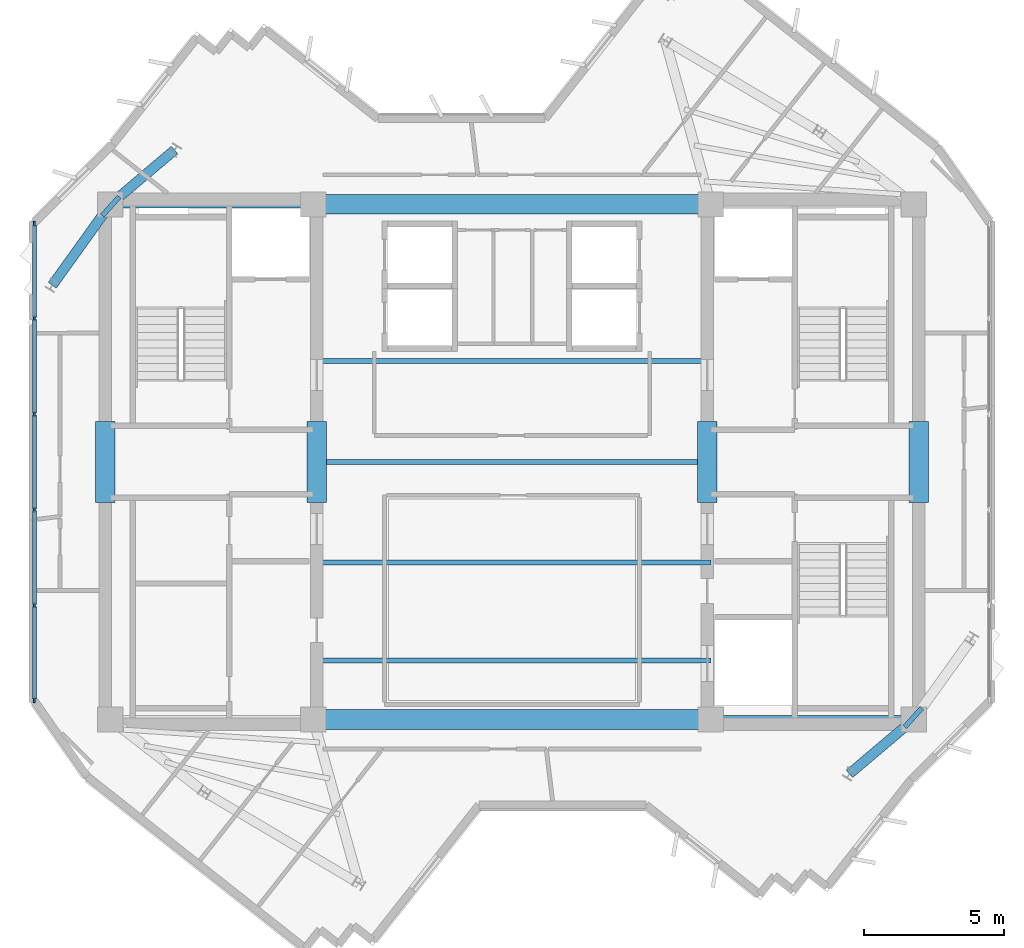
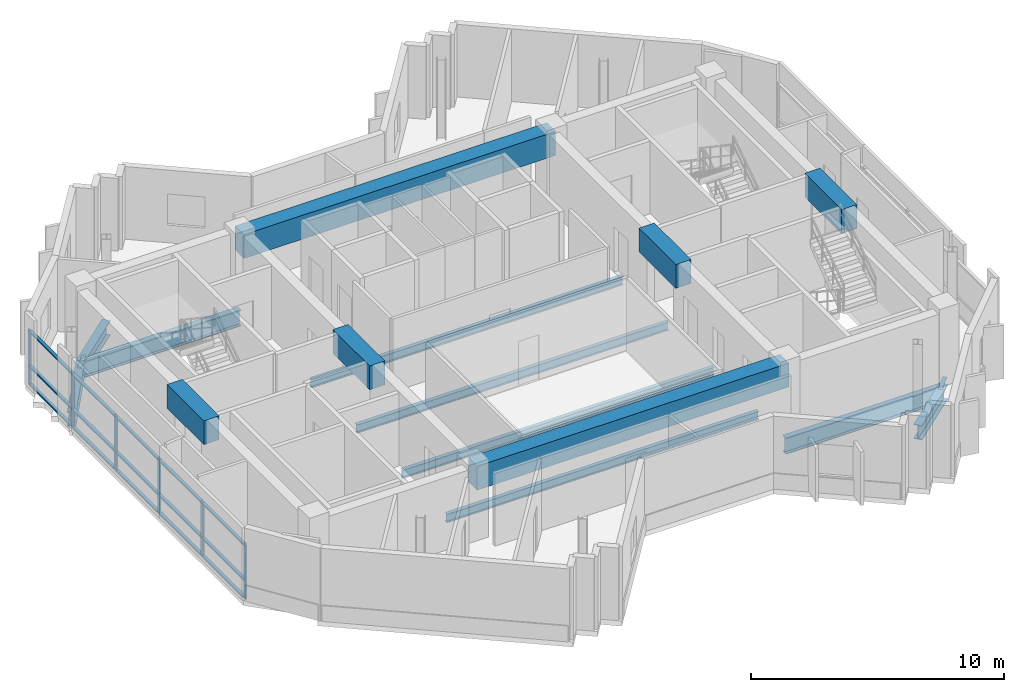
# One storey, part 2 of 10: 21 members, 17 beams, 1 element without a shape of its own.
"""IFC4 building model written with IfcOpenShell, lengths in metres."""

from ifc_helpers import new_model, si_unit, direction, frame, origin, origin_2d, place, context, subcontext, project, spatial, rectangle, i_section, extrude, source, transform, mapped, material, layer, layer_set, material_profile, profile_set, type_object, element, aggregate, save


model = new_model("IFC4")

# Units and contexts
model_context = context("Model", 3, precision=1e-05, world=origin(), true_north=direction((0.0, 1.0)))
body_context = subcontext(model_context, "Body", "Model", "MODEL_VIEW")
ifc_project = project(units=[si_unit("LENGTHUNIT", "METRE"), si_unit("AREAUNIT", "SQUARE_METRE"), si_unit("VOLUMEUNIT", "CUBIC_METRE"), si_unit("PLANEANGLEUNIT", "RADIAN"), si_unit("MASSUNIT", "GRAM", prefix="KILO")], contexts=[model_context])

# Site, building, storey
site_placement = place(None, origin())
site = spatial("IfcSite", under=ifc_project, at=site_placement, CompositionType="ELEMENT")
building_placement = place(site_placement, origin())
building = spatial("IfcBuilding", under=site, at=building_placement, Name="Zahravan Cultural Tower", CompositionType="ELEMENT")
storey_placement = place(building_placement, frame((0.0, 0.0, 323.550048828125)))
storey = spatial("IfcBuildingStorey", under=building, at=storey_placement, Name="L78", CompositionType="ELEMENT", Elevation=323.550048828125)

# Beams
ifc_material_1 = material(Name="Concrete C50/60", Category="concrete")
ifc_material_profile_1 = material_profile(ifc_material_1, rectangle(XDim=0.699951171875, YDim=1.14990234375, at=origin_2d()), Name="RC700X1150")
ifc_profile_set_1 = profile_set([ifc_material_profile_1], Name="Concrete C50/60")
beam_type_1 = type_object("IfcBeamType", Name="BM-LN-RC700X1150", PredefinedType="LINTEL", material=ifc_profile_set_1)
shared_shape_1 = source(origin(), body_context, "Body", "SweptSolid", [
    extrude(rectangle(XDim=0.699951171875, YDim=1.14990234375, at=origin_2d()), origin(), (0.0, 0.0, 1.0), 14.2001953125),
])
for number, where, z_axis, x_axis, name in (
    (1, (28.89990234375, 17.800048828125, 2.925048828125), (1.0, 0.0, 0.0), (0.0, 1.0, 0.0), "L78 Beam LN-L78-S"),
    (2, (28.89990234375, 36.199951171875, 2.925048828125), (1.0, 0.0, 0.0), (0.0, 1.0, 0.0), "L78 Beam LN-L78-N"),
):
    element("IfcBeam", number, at=place(storey_placement, frame(where, z_axis=z_axis, x_axis=x_axis)), inside=storey, type_object=beam_type_1, Name=name, PredefinedType="LINTEL", context=body_context, shape_type="MappedRepresentation", body=[
        mapped(shared_shape_1, transform((0.0, 0.0, 0.0), x_axis=(1.0, 0.0, 0.0), y_axis=(0.0, 1.0, 0.0), z_axis=(0.0, 0.0, 1.0), scale=1.0)),
    ])
shared_shape_2 = source(origin(), body_context, "Body", "SweptSolid", [
    extrude(rectangle(XDim=0.699951171875, YDim=1.14990234375, at=origin_2d()), origin(), (0.0, 0.0, 1.0), 2.89990234375),
])
for number, where, z_axis, x_axis, name in (
    (3, (21.47509765625, 25.550048828125, 2.925048828125), (0.0, 1.0, 0.0), (-1.0, 0.0, 0.0), "L78 Beam LN-L78-PWW"),
    (4, (29.02490234375, 25.550048828125, 2.925048828125), (0.0, 1.0, 0.0), (-1.0, 0.0, 0.0), "L78 Beam LN-L78-PWE"),
    (5, (42.97509765625, 25.550048828125, 2.925048828125), (0.0, 1.0, 0.0), (-1.0, 0.0, 0.0), "L78 Beam LN-L78-PEW"),
    (6, (50.52490234375, 25.550048828125, 2.925048828125), (0.0, 1.0, 0.0), (-1.0, 0.0, 0.0), "L78 Beam LN-L78-PEE"),
):
    element("IfcBeam", number, at=place(storey_placement, frame(where, z_axis=z_axis, x_axis=x_axis)), inside=storey, type_object=beam_type_1, Name=name, PredefinedType="LINTEL", context=body_context, shape_type="MappedRepresentation", body=[
        mapped(shared_shape_2, transform((0.0, 0.0, 0.0), x_axis=(1.0, 0.0, 0.0), y_axis=(0.0, 1.0, 0.0), z_axis=(0.0, 0.0, 1.0), scale=1.0)),
    ])
ifc_material_2 = material(Name="Steel ASTM A992 Grade 50", Category="steel")
ifc_material_profile_2 = material_profile(ifc_material_2, i_section(OverallWidth=0.26611328125, OverallDepth=0.780029296875, WebThickness=0.0166015625, FlangeThickness=0.030029296875, FilletRadius=0.01904296875, at=origin_2d()), Name="W30X148")
ifc_profile_set_2 = profile_set([ifc_material_profile_2], Name="Steel ASTM A992 Grade 50")
beam_type_2 = type_object("IfcBeamType", Name="BM-G-W30X148", PredefinedType="BEAM", material=ifc_profile_set_2)
shared_shape_3 = source(origin(), body_context, "Body", "SweptSolid", [
    extrude(i_section(OverallWidth=0.26611328125, OverallDepth=0.780029296875, WebThickness=0.0166015625, FlangeThickness=0.030029296875, FilletRadius=0.01904296875, at=origin_2d()), origin(), (0.0, 0.0, 1.0), 7.25),
])
for number, where, z_axis, x_axis, name in (
    (7, (21.64990234375, 36.199951171875, -0.64013671875), (1.0, 0.0, 0.0), (0.0, 1.0, 0.0), "L78 Beam BG-L78-02"),
    (8, (43.10009765625, 17.800048828125, -0.64013671875), (1.0, 0.0, 0.0), (0.0, 1.0, 0.0), "L78 Beam BG-L78-04"),
):
    element("IfcBeam", number, at=place(storey_placement, frame(where, z_axis=z_axis, x_axis=x_axis)), inside=storey, type_object=beam_type_2, Name=name, PredefinedType="BEAM", context=body_context, shape_type="MappedRepresentation", body=[
        mapped(shared_shape_3, transform((0.0, 0.0, 0.0), x_axis=(1.0, 0.0, 0.0), y_axis=(0.0, 1.0, 0.0), z_axis=(0.0, 0.0, 1.0), scale=1.0)),
    ])
ifc_material_profile_3 = material_profile(ifc_material_2, i_section(OverallWidth=0.35498046875, OverallDepth=0.696044921875, WebThickness=0.015380859375, FlangeThickness=0.025146484375, FilletRadius=0.01806640625, at=origin_2d()), Name="W27X146")
ifc_profile_set_3 = profile_set([ifc_material_profile_3], Name="Steel ASTM A992 Grade 50")
beam_type_3 = type_object("IfcBeamType", Name="BM-G-W27X146", PredefinedType="BEAM", material=ifc_profile_set_3)
shared_shape_4 = source(origin(), body_context, "Body", "SweptSolid", [
    extrude(i_section(OverallWidth=0.35498046875, OverallDepth=0.696044921875, WebThickness=0.015380859375, FlangeThickness=0.025146484375, FilletRadius=0.01806640625, at=origin_2d()), origin(), (0.0, 0.0, 1.0), 3.00537109375),
])
for number, where, z_axis, x_axis, name in (
    (9, (50.35009765625, 17.800048828125, -0.59814453125), (-0.763546494847, -0.645752855361, 0.0), (0.645752855361, -0.763546494847, 0.0), "L78 Beam BG-L78-09"),
    (10, (21.64990234375, 36.199951171875, -0.59814453125), (0.763546494847, 0.645752855361, 0.0), (-0.645752855361, 0.763546494847, 0.0), "L78 Beam BG-L78-13"),
):
    element("IfcBeam", number, at=place(storey_placement, frame(where, z_axis=z_axis, x_axis=x_axis)), inside=storey, type_object=beam_type_3, Name=name, PredefinedType="BEAM", context=body_context, shape_type="MappedRepresentation", body=[
        mapped(shared_shape_4, transform((0.0, 0.0, 0.0), x_axis=(1.0, 0.0, 0.0), y_axis=(0.0, 1.0, 0.0), z_axis=(0.0, 0.0, 1.0), scale=1.0)),
    ])
shared_shape_5 = source(origin(), body_context, "Body", "SweptSolid", [
    extrude(i_section(OverallWidth=0.35498046875, OverallDepth=0.696044921875, WebThickness=0.015380859375, FlangeThickness=0.025146484375, FilletRadius=0.01806640625, at=origin_2d()), origin(), (0.0, 0.0, 1.0), 3.5556640625),
])
beam_placement = place(storey_placement, frame((21.64990234375, 36.199951171875, -0.59814453125), z_axis=(-0.58288028137, -0.812558045674, 0.0), x_axis=(0.812558045674, -0.58288028137, 0.0)))
element("IfcBeam", 11, at=beam_placement, inside=storey, type_object=beam_type_3, Name="L78 Beam BG-L78-14", PredefinedType="BEAM", context=body_context, shape_type="MappedRepresentation", body=[
    mapped(shared_shape_5, transform((0.0, 0.0, 0.0), x_axis=(1.0, 0.0, 0.0), y_axis=(0.0, 1.0, 0.0), z_axis=(0.0, 0.0, 1.0), scale=1.0)),
])
ifc_material_profile_4 = material_profile(ifc_material_2, i_section(OverallWidth=0.177978515625, OverallDepth=0.406005859375, WebThickness=0.0078125, FlangeThickness=0.0126953125, FilletRadius=0.011962890625, at=origin_2d()), Name="W16X40")
ifc_profile_set_4 = profile_set([ifc_material_profile_4], Name="Steel ASTM A992 Grade 50")
beam_type_4 = type_object("IfcBeamType", Name="BM-J-W16X40", PredefinedType="JOIST", material=ifc_profile_set_4)
shared_shape_6 = source(origin(), body_context, "Body", "SweptSolid", [
    extrude(i_section(OverallWidth=0.177978515625, OverallDepth=0.406005859375, WebThickness=0.0078125, FlangeThickness=0.0126953125, FilletRadius=0.011962890625, at=origin_2d()), origin(), (0.0, 0.0, 1.0), 14.2001953125),
])
for number, where, z_axis, x_axis, name in (
    (12, (28.89990234375, 19.89990234375, -0.453125), (1.0, 0.0, 0.0), (0.0, 1.0, 0.0), "L78 Beam BJ-L78-20"),
    (13, (28.89990234375, 23.39990234375, -0.453125), (1.0, 0.0, 0.0), (0.0, 1.0, 0.0), "L78 Beam BJ-L78-21"),
    (14, (28.89990234375, 27.0, -0.453125), (1.0, 0.0, 0.0), (0.0, 1.0, 0.0), "L78 Beam BJ-L78-22"),
    (15, (28.89990234375, 30.60009765625, -0.453125), (1.0, 0.0, 0.0), (0.0, 1.0, 0.0), "L78 Beam BJ-L78-23"),
):
    element("IfcBeam", number, at=place(storey_placement, frame(where, z_axis=z_axis, x_axis=x_axis)), inside=storey, type_object=beam_type_4, Name=name, PredefinedType="JOIST", context=body_context, shape_type="MappedRepresentation", body=[
        mapped(shared_shape_6, transform((0.0, 0.0, 0.0), x_axis=(1.0, 0.0, 0.0), y_axis=(0.0, 1.0, 0.0), z_axis=(0.0, 0.0, 1.0), scale=1.0)),
    ])
shared_shape_7 = source(origin(), body_context, "Body", "SweptSolid", [
    extrude(i_section(OverallWidth=0.177978515625, OverallDepth=0.406005859375, WebThickness=0.0078125, FlangeThickness=0.0126953125, FilletRadius=0.011962890625, at=origin_2d()), origin(), (0.0, 0.0, 1.0), 0.91162109375),
])
for number, where, z_axis, x_axis, name in (
    (16, (50.02880859375, 17.5283203125, -0.453125), (0.670590689022, 0.741827559341, 0.0), (-0.741827559341, 0.670590689022, 0.0), "L78 Beam BJ-L78-32"),
    (17, (21.97119140625, 36.4716796875, -0.453125), (-0.670590689022, -0.741827559341, 0.0), (0.741827559341, -0.670590689022, 0.0), "L78 Beam BJ-L78-48"),
):
    element("IfcBeam", number, at=place(storey_placement, frame(where, z_axis=z_axis, x_axis=x_axis)), inside=storey, type_object=beam_type_4, Name=name, PredefinedType="JOIST", context=body_context, shape_type="MappedRepresentation", body=[
        mapped(shared_shape_7, transform((0.0, 0.0, 0.0), x_axis=(1.0, 0.0, 0.0), y_axis=(0.0, 1.0, 0.0), z_axis=(0.0, 0.0, 1.0), scale=1.0)),
    ])

# Curtain wall, members
ifc_material_3 = material(Name="Anodised bronze-aluminium mullion", Category="aluminium")
ifc_layer = layer(ifc_material_3, 0.179931640625)
ifc_layer_set = layer_set([ifc_layer], Name="Anodised bronze-aluminium mullion")
curtain_wall_type = type_object("IfcCurtainWallType", Name="CW-SYS-3", PredefinedType="USERDEFINED", material=ifc_layer_set)
curtain_wall_placement = place(storey_placement, origin())
curtain_wall = element("IfcCurtainWall", 18, at=curtain_wall_placement, inside=storey, type_object=curtain_wall_type, Name="L78 Recessed Curtain Wall CW-3.2", ObjectType="RECESSED GLAZING", PredefinedType="USERDEFINED")
ifc_material_profile_5 = material_profile(ifc_material_3, rectangle(XDim=0.070068359375, YDim=0.179931640625, at=origin_2d()), Name="AL-M70X180")
ifc_profile_set_5 = profile_set([ifc_material_profile_5], Name="Anodised bronze-aluminium mullion")
member_type_1 = type_object("IfcMemberType", Name="CWM-CW-3", PredefinedType="MULLION", material=ifc_profile_set_5)
shared_shape_8 = source(origin(), body_context, "Body", "SweptSolid", [
    extrude(rectangle(XDim=0.070068359375, YDim=0.179931640625, at=origin_2d()), origin(), (0.0, 0.0, 1.0), 2.619873046875),
])
member_1_placement = place(storey_placement, frame((18.93994140625, 18.492919921875, 0.0), z_axis=(0.0, 0.0, 1.0), x_axis=(-1.0, 0.0, 0.0)))
member_1 = element("IfcMember", 19, at=member_1_placement, type_object=member_type_1, Name="CW-3 mullion 1", PredefinedType="MULLION", context=body_context, shape_type="MappedRepresentation", body=[
    mapped(shared_shape_8, transform((0.0, 0.0, 0.0), x_axis=(1.0, 0.0, 0.0), y_axis=(0.0, 1.0, 0.0), z_axis=(0.0, 0.0, 1.0), scale=1.0)),
])
member_2_placement = place(storey_placement, frame((18.93994140625, 21.874755859375, 0.0), z_axis=(0.0, 0.0, 1.0), x_axis=(-1.0, 0.0, 0.0)))
member_2 = element("IfcMember", 20, at=member_2_placement, type_object=member_type_1, Name="CW-3 mullion 2", PredefinedType="MULLION", context=body_context, shape_type="MappedRepresentation", body=[
    mapped(shared_shape_8, transform((0.0, 0.0, 0.0), x_axis=(1.0, 0.0, 0.0), y_axis=(0.0, 1.0, 0.0), z_axis=(0.0, 0.0, 1.0), scale=1.0)),
])
member_3_placement = place(storey_placement, frame((18.93994140625, 25.29150390625, 0.0), z_axis=(0.0, 0.0, 1.0), x_axis=(-1.0, 0.0, 0.0)))
member_3 = element("IfcMember", 21, at=member_3_placement, type_object=member_type_1, Name="CW-3 mullion 3", PredefinedType="MULLION", context=body_context, shape_type="MappedRepresentation", body=[
    mapped(shared_shape_8, transform((0.0, 0.0, 0.0), x_axis=(1.0, 0.0, 0.0), y_axis=(0.0, 1.0, 0.0), z_axis=(0.0, 0.0, 1.0), scale=1.0)),
])
member_4_placement = place(storey_placement, frame((18.93994140625, 28.70849609375, 0.0), z_axis=(0.0, 0.0, 1.0), x_axis=(-1.0, 0.0, 0.0)))
member_4 = element("IfcMember", 22, at=member_4_placement, type_object=member_type_1, Name="CW-3 mullion 4", PredefinedType="MULLION", context=body_context, shape_type="MappedRepresentation", body=[
    mapped(shared_shape_8, transform((0.0, 0.0, 0.0), x_axis=(1.0, 0.0, 0.0), y_axis=(0.0, 1.0, 0.0), z_axis=(0.0, 0.0, 1.0), scale=1.0)),
])
member_5_placement = place(storey_placement, frame((18.93994140625, 32.125244140625, 0.0), z_axis=(0.0, 0.0, 1.0), x_axis=(-1.0, 0.0, 0.0)))
member_5 = element("IfcMember", 23, at=member_5_placement, type_object=member_type_1, Name="CW-3 mullion 5", PredefinedType="MULLION", context=body_context, shape_type="MappedRepresentation", body=[
    mapped(shared_shape_8, transform((0.0, 0.0, 0.0), x_axis=(1.0, 0.0, 0.0), y_axis=(0.0, 1.0, 0.0), z_axis=(0.0, 0.0, 1.0), scale=1.0)),
])
member_6_placement = place(storey_placement, frame((18.93994140625, 35.507080078125, 0.0), z_axis=(0.0, 0.0, 1.0), x_axis=(-1.0, 0.0, 0.0)))
member_6 = element("IfcMember", 24, at=member_6_placement, type_object=member_type_1, Name="CW-3 mullion 6", PredefinedType="MULLION", context=body_context, shape_type="MappedRepresentation", body=[
    mapped(shared_shape_8, transform((0.0, 0.0, 0.0), x_axis=(1.0, 0.0, 0.0), y_axis=(0.0, 1.0, 0.0), z_axis=(0.0, 0.0, 1.0), scale=1.0)),
])
ifc_material_profile_6 = material_profile(ifc_material_3, rectangle(XDim=0.139892578125, YDim=0.070068359375, at=origin_2d()), Name="AL-T70X140")
ifc_profile_set_6 = profile_set([ifc_material_profile_6], Name="Anodised bronze-aluminium mullion")
member_type_2 = type_object("IfcMemberType", Name="CWT-CW-3", PredefinedType="USERDEFINED", material=ifc_profile_set_6)
shared_shape_9 = source(origin(), body_context, "Body", "SweptSolid", [
    extrude(rectangle(XDim=0.139892578125, YDim=0.070068359375, at=origin_2d()), origin(), (0.0, 0.0, 1.0), 3.311767578125),
])
member_7_placement = place(storey_placement, frame((18.93994140625, 18.528076171875, 0.034912109375), z_axis=(0.0, 1.0, 0.0), x_axis=(-1.0, 0.0, 0.0)))
member_7 = element("IfcMember", 25, at=member_7_placement, type_object=member_type_2, Name="CW-3 transom 1.1", ObjectType="TRANSOM", PredefinedType="USERDEFINED", context=body_context, shape_type="MappedRepresentation", body=[
    mapped(shared_shape_9, transform((0.0, 0.0, 0.0), x_axis=(1.0, 0.0, 0.0), y_axis=(0.0, 1.0, 0.0), z_axis=(0.0, 0.0, 1.0), scale=1.0)),
])
member_8_placement = place(storey_placement, frame((18.93994140625, 18.528076171875, 0.89990234375), z_axis=(0.0, 1.0, 0.0), x_axis=(-1.0, 0.0, 0.0)))
member_8 = element("IfcMember", 26, at=member_8_placement, type_object=member_type_2, Name="CW-3 transom 1.2", ObjectType="TRANSOM", PredefinedType="USERDEFINED", context=body_context, shape_type="MappedRepresentation", body=[
    mapped(shared_shape_9, transform((0.0, 0.0, 0.0), x_axis=(1.0, 0.0, 0.0), y_axis=(0.0, 1.0, 0.0), z_axis=(0.0, 0.0, 1.0), scale=1.0)),
])
member_9_placement = place(storey_placement, frame((18.93994140625, 18.528076171875, 2.5849609375), z_axis=(0.0, 1.0, 0.0), x_axis=(-1.0, 0.0, 0.0)))
member_9 = element("IfcMember", 27, at=member_9_placement, type_object=member_type_2, Name="CW-3 transom 1.3", ObjectType="TRANSOM", PredefinedType="USERDEFINED", context=body_context, shape_type="MappedRepresentation", body=[
    mapped(shared_shape_9, transform((0.0, 0.0, 0.0), x_axis=(1.0, 0.0, 0.0), y_axis=(0.0, 1.0, 0.0), z_axis=(0.0, 0.0, 1.0), scale=1.0)),
])
member_10_placement = place(storey_placement, frame((18.93994140625, 32.16015625, 0.034912109375), z_axis=(0.0, 1.0, 0.0), x_axis=(-1.0, 0.0, 0.0)))
member_10 = element("IfcMember", 28, at=member_10_placement, type_object=member_type_2, Name="CW-3 transom 5.1", ObjectType="TRANSOM", PredefinedType="USERDEFINED", context=body_context, shape_type="MappedRepresentation", body=[
    mapped(shared_shape_9, transform((0.0, 0.0, 0.0), x_axis=(1.0, 0.0, 0.0), y_axis=(0.0, 1.0, 0.0), z_axis=(0.0, 0.0, 1.0), scale=1.0)),
])
member_11_placement = place(storey_placement, frame((18.93994140625, 32.16015625, 0.89990234375), z_axis=(0.0, 1.0, 0.0), x_axis=(-1.0, 0.0, 0.0)))
member_11 = element("IfcMember", 29, at=member_11_placement, type_object=member_type_2, Name="CW-3 transom 5.2", ObjectType="TRANSOM", PredefinedType="USERDEFINED", context=body_context, shape_type="MappedRepresentation", body=[
    mapped(shared_shape_9, transform((0.0, 0.0, 0.0), x_axis=(1.0, 0.0, 0.0), y_axis=(0.0, 1.0, 0.0), z_axis=(0.0, 0.0, 1.0), scale=1.0)),
])
member_12_placement = place(storey_placement, frame((18.93994140625, 32.16015625, 2.5849609375), z_axis=(0.0, 1.0, 0.0), x_axis=(-1.0, 0.0, 0.0)))
member_12 = element("IfcMember", 30, at=member_12_placement, type_object=member_type_2, Name="CW-3 transom 5.3", ObjectType="TRANSOM", PredefinedType="USERDEFINED", context=body_context, shape_type="MappedRepresentation", body=[
    mapped(shared_shape_9, transform((0.0, 0.0, 0.0), x_axis=(1.0, 0.0, 0.0), y_axis=(0.0, 1.0, 0.0), z_axis=(0.0, 0.0, 1.0), scale=1.0)),
])
shared_shape_10 = source(origin(), body_context, "Body", "SweptSolid", [
    extrude(rectangle(XDim=0.139892578125, YDim=0.070068359375, at=origin_2d()), origin(), (0.0, 0.0, 1.0), 3.3466796875),
])
member_13_placement = place(storey_placement, frame((18.93994140625, 21.909912109375, 0.034912109375), z_axis=(0.0, 1.0, 0.0), x_axis=(-1.0, 0.0, 0.0)))
member_13 = element("IfcMember", 31, at=member_13_placement, type_object=member_type_2, Name="CW-3 transom 2.1", ObjectType="TRANSOM", PredefinedType="USERDEFINED", context=body_context, shape_type="MappedRepresentation", body=[
    mapped(shared_shape_10, transform((0.0, 0.0, 0.0), x_axis=(1.0, 0.0, 0.0), y_axis=(0.0, 1.0, 0.0), z_axis=(0.0, 0.0, 1.0), scale=1.0)),
])
member_14_placement = place(storey_placement, frame((18.93994140625, 21.909912109375, 0.89990234375), z_axis=(0.0, 1.0, 0.0), x_axis=(-1.0, 0.0, 0.0)))
member_14 = element("IfcMember", 32, at=member_14_placement, type_object=member_type_2, Name="CW-3 transom 2.2", ObjectType="TRANSOM", PredefinedType="USERDEFINED", context=body_context, shape_type="MappedRepresentation", body=[
    mapped(shared_shape_10, transform((0.0, 0.0, 0.0), x_axis=(1.0, 0.0, 0.0), y_axis=(0.0, 1.0, 0.0), z_axis=(0.0, 0.0, 1.0), scale=1.0)),
])
member_15_placement = place(storey_placement, frame((18.93994140625, 21.909912109375, 2.5849609375), z_axis=(0.0, 1.0, 0.0), x_axis=(-1.0, 0.0, 0.0)))
member_15 = element("IfcMember", 33, at=member_15_placement, type_object=member_type_2, Name="CW-3 transom 2.3", ObjectType="TRANSOM", PredefinedType="USERDEFINED", context=body_context, shape_type="MappedRepresentation", body=[
    mapped(shared_shape_10, transform((0.0, 0.0, 0.0), x_axis=(1.0, 0.0, 0.0), y_axis=(0.0, 1.0, 0.0), z_axis=(0.0, 0.0, 1.0), scale=1.0)),
])
member_16_placement = place(storey_placement, frame((18.93994140625, 25.32666015625, 0.034912109375), z_axis=(0.0, 1.0, 0.0), x_axis=(-1.0, 0.0, 0.0)))
member_16 = element("IfcMember", 34, at=member_16_placement, type_object=member_type_2, Name="CW-3 transom 3.1", ObjectType="TRANSOM", PredefinedType="USERDEFINED", context=body_context, shape_type="MappedRepresentation", body=[
    mapped(shared_shape_10, transform((0.0, 0.0, 0.0), x_axis=(1.0, 0.0, 0.0), y_axis=(0.0, 1.0, 0.0), z_axis=(0.0, 0.0, 1.0), scale=1.0)),
])
member_17_placement = place(storey_placement, frame((18.93994140625, 25.32666015625, 0.89990234375), z_axis=(0.0, 1.0, 0.0), x_axis=(-1.0, 0.0, 0.0)))
member_17 = element("IfcMember", 35, at=member_17_placement, type_object=member_type_2, Name="CW-3 transom 3.2", ObjectType="TRANSOM", PredefinedType="USERDEFINED", context=body_context, shape_type="MappedRepresentation", body=[
    mapped(shared_shape_10, transform((0.0, 0.0, 0.0), x_axis=(1.0, 0.0, 0.0), y_axis=(0.0, 1.0, 0.0), z_axis=(0.0, 0.0, 1.0), scale=1.0)),
])
member_18_placement = place(storey_placement, frame((18.93994140625, 25.32666015625, 2.5849609375), z_axis=(0.0, 1.0, 0.0), x_axis=(-1.0, 0.0, 0.0)))
member_18 = element("IfcMember", 36, at=member_18_placement, type_object=member_type_2, Name="CW-3 transom 3.3", ObjectType="TRANSOM", PredefinedType="USERDEFINED", context=body_context, shape_type="MappedRepresentation", body=[
    mapped(shared_shape_10, transform((0.0, 0.0, 0.0), x_axis=(1.0, 0.0, 0.0), y_axis=(0.0, 1.0, 0.0), z_axis=(0.0, 0.0, 1.0), scale=1.0)),
])
member_19_placement = place(storey_placement, frame((18.93994140625, 28.743408203125, 0.034912109375), z_axis=(0.0, 1.0, 0.0), x_axis=(-1.0, 0.0, 0.0)))
member_19 = element("IfcMember", 37, at=member_19_placement, type_object=member_type_2, Name="CW-3 transom 4.1", ObjectType="TRANSOM", PredefinedType="USERDEFINED", context=body_context, shape_type="MappedRepresentation", body=[
    mapped(shared_shape_10, transform((0.0, 0.0, 0.0), x_axis=(1.0, 0.0, 0.0), y_axis=(0.0, 1.0, 0.0), z_axis=(0.0, 0.0, 1.0), scale=1.0)),
])
member_20_placement = place(storey_placement, frame((18.93994140625, 28.743408203125, 0.89990234375), z_axis=(0.0, 1.0, 0.0), x_axis=(-1.0, 0.0, 0.0)))
member_20 = element("IfcMember", 38, at=member_20_placement, type_object=member_type_2, Name="CW-3 transom 4.2", ObjectType="TRANSOM", PredefinedType="USERDEFINED", context=body_context, shape_type="MappedRepresentation", body=[
    mapped(shared_shape_10, transform((0.0, 0.0, 0.0), x_axis=(1.0, 0.0, 0.0), y_axis=(0.0, 1.0, 0.0), z_axis=(0.0, 0.0, 1.0), scale=1.0)),
])
member_21_placement = place(storey_placement, frame((18.93994140625, 28.743408203125, 2.5849609375), z_axis=(0.0, 1.0, 0.0), x_axis=(-1.0, 0.0, 0.0)))
member_21 = element("IfcMember", 39, at=member_21_placement, type_object=member_type_2, Name="CW-3 transom 4.3", ObjectType="TRANSOM", PredefinedType="USERDEFINED", context=body_context, shape_type="MappedRepresentation", body=[
    mapped(shared_shape_10, transform((0.0, 0.0, 0.0), x_axis=(1.0, 0.0, 0.0), y_axis=(0.0, 1.0, 0.0), z_axis=(0.0, 0.0, 1.0), scale=1.0)),
])
aggregate(curtain_wall, [member_1, member_2, member_3, member_4, member_5, member_6, member_7, member_8, member_9, member_13, member_14, member_15, member_16, member_17, member_18, member_19, member_20, member_21, member_10, member_11, member_12])

save(model, "model.ifc")
